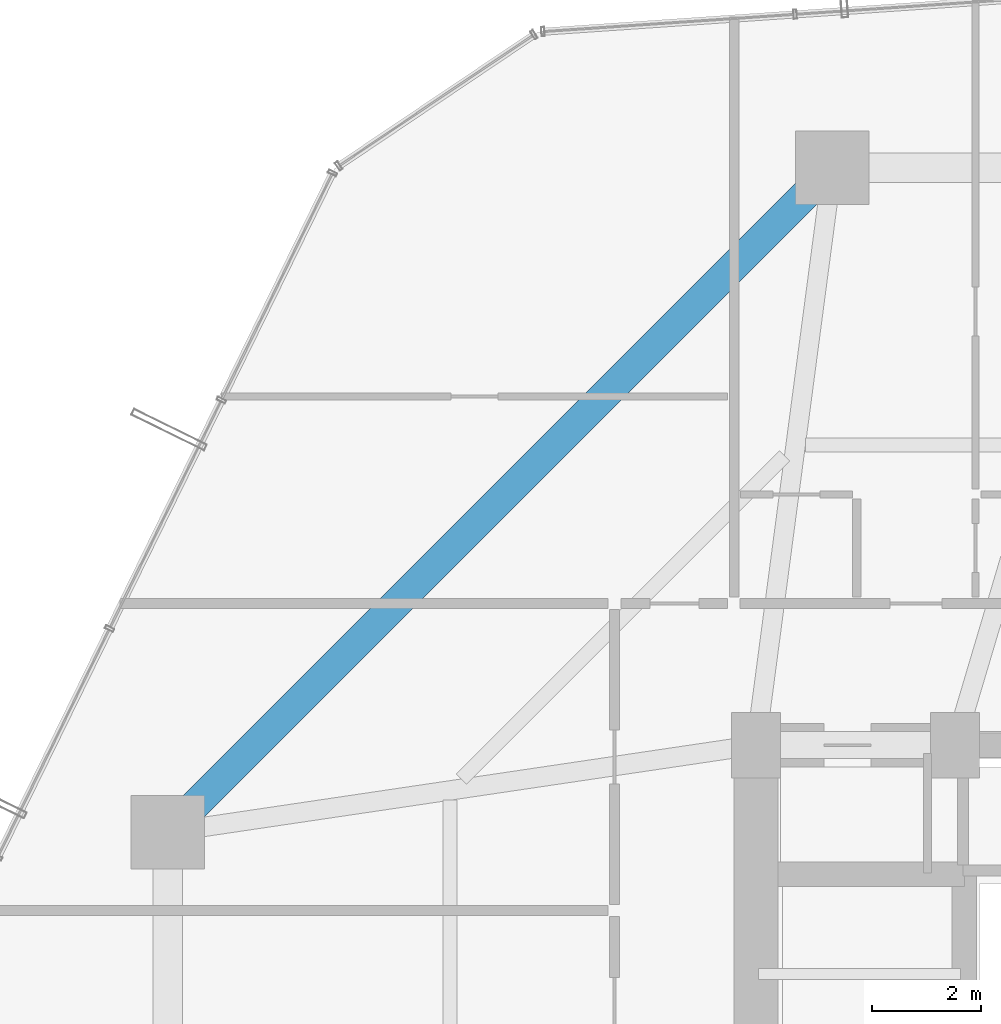
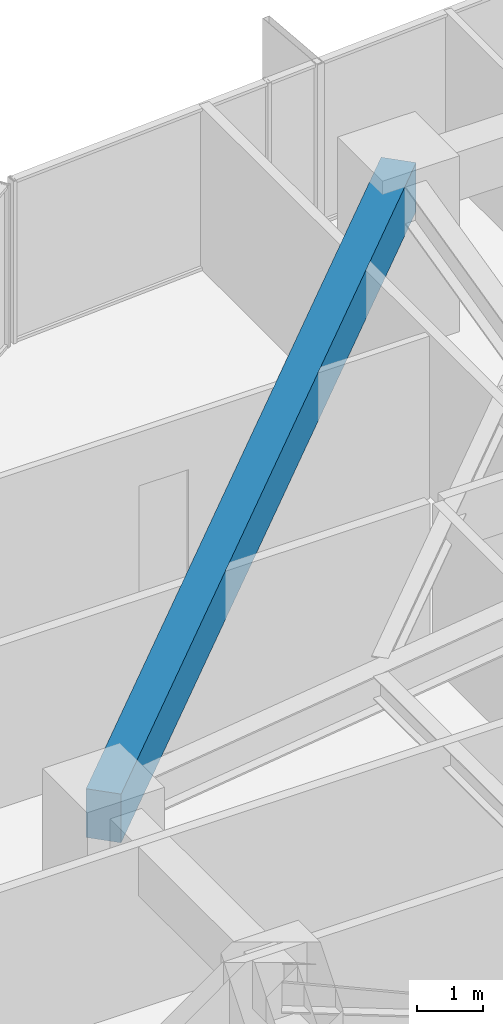
# One storey, part 22 of 37: 1 beam.
"""IFC4 building model written with IfcOpenShell, lengths in metres."""

from ifc_helpers import new_model, si_unit, direction, frame, origin, origin_2d, place, context, subcontext, project, spatial, rectangle, extrude, material, material_profile, profile_set, type_object, element, save


model = new_model("IFC4")

# Units and contexts
model_context = context("Model", 3, precision=1e-05, world=origin(), true_north=direction((0.0, 1.0)))
body_context = subcontext(model_context, "Body", "Model", "MODEL_VIEW")
ifc_project = project(units=[si_unit("LENGTHUNIT", "METRE"), si_unit("AREAUNIT", "SQUARE_METRE"), si_unit("VOLUMEUNIT", "CUBIC_METRE"), si_unit("PLANEANGLEUNIT", "RADIAN"), si_unit("MASSUNIT", "GRAM", prefix="KILO")], contexts=[model_context])

# Site, building, storey
site_placement = place(None, origin())
site = spatial("IfcSite", under=ifc_project, at=site_placement, CompositionType="ELEMENT")
building_placement = place(site_placement, origin())
building = spatial("IfcBuilding", under=site, at=building_placement, Name="Veraguas Prism Commons", CompositionType="ELEMENT")
storey_placement = place(building_placement, frame((0.0, 0.0, 37.050048828125)))
storey = spatial("IfcBuildingStorey", under=building, at=storey_placement, Name="L09", CompositionType="ELEMENT", Elevation=37.050048828125)

# Beam
ifc_material = material(Name="Concrete C50/60", Category="concrete")
ifc_material_profile = material_profile(ifc_material, rectangle(XDim=0.550048828125, YDim=0.89990234375, at=origin_2d()), Name="RC550X900")
ifc_profile_set = profile_set([ifc_material_profile], Name="Concrete C50/60")
beam_type = type_object("IfcBeamType", Name="Perimeter Spandrel Lower RC 550x900", PredefinedType="SPANDREL", material=ifc_profile_set)
beam_placement = place(storey_placement, frame((18.60009765625, 41.60009765625, 2.550048828125), z_axis=(-0.707106781187, -0.707106781187, 0.0), x_axis=(0.707106781187, -0.707106781187, 0.0)))
element("IfcBeam", 1, at=beam_placement, inside=storey, type_object=beam_type, Name="Perimeter Spandrel Beam L09-SP06", PredefinedType="SPANDREL", context=body_context, shape_type="SweptSolid", body=[
    extrude(rectangle(XDim=0.550048828125, YDim=0.89990234375, at=origin_2d()), origin(), (0.0, 0.0, 1.0), 17.253662109375),
])

save(model, "model.ifc")
